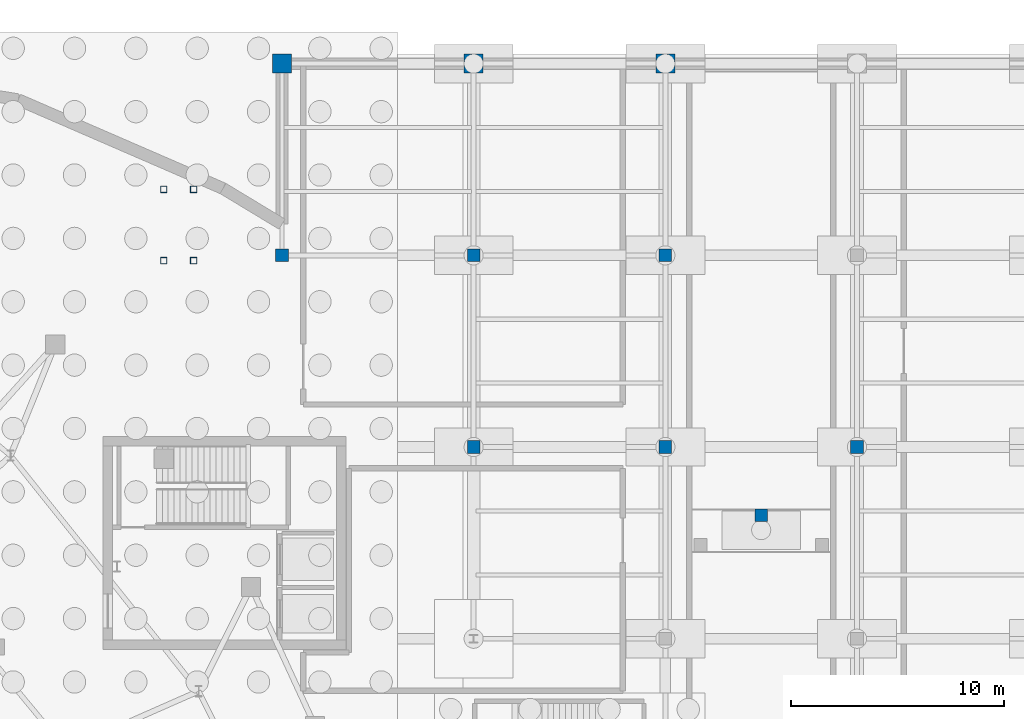
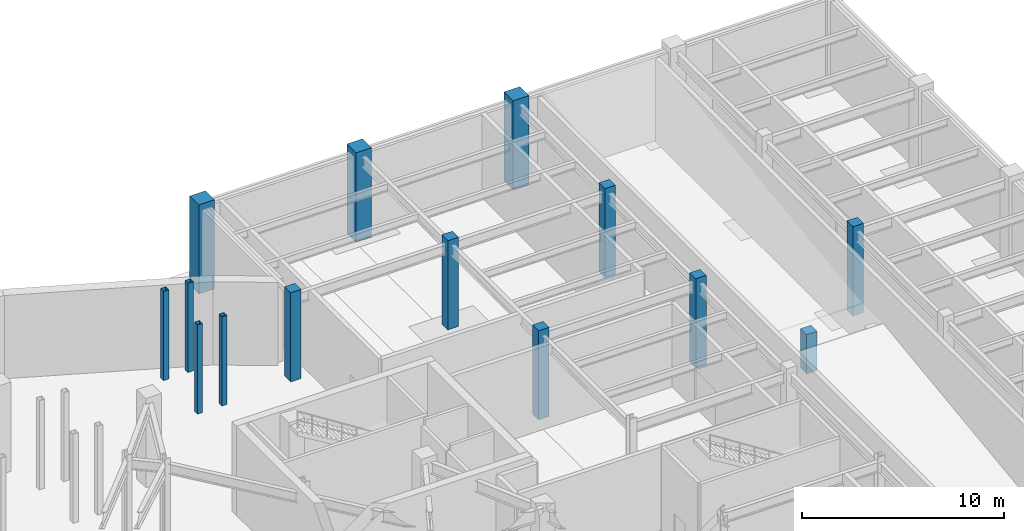
# One storey, part 29 of 56: 14 columns.
"""IFC4 building model written with IfcOpenShell, lengths in metres."""

from ifc_helpers import new_model, si_unit, direction, frame, origin, origin_2d, place, context, subcontext, project, spatial, rectangle, hollow_rectangle, extrude, material, material_profile, profile_set, type_object, element, save


model = new_model("IFC4")

# Units and contexts
model_context = context("Model", 3, precision=1e-05, world=origin(), true_north=direction((0.0, 1.0)))
body_context = subcontext(model_context, "Body", "Model", "MODEL_VIEW")
ifc_project = project(units=[si_unit("LENGTHUNIT", "METRE"), si_unit("AREAUNIT", "SQUARE_METRE"), si_unit("VOLUMEUNIT", "CUBIC_METRE"), si_unit("PLANEANGLEUNIT", "RADIAN"), si_unit("MASSUNIT", "GRAM", prefix="KILO")], contexts=[model_context])

# Site, building, storey
site_placement = place(None, origin())
site = spatial("IfcSite", under=ifc_project, at=site_placement, CompositionType="ELEMENT")
building_placement = place(site_placement, origin())
building = spatial("IfcBuilding", under=site, at=building_placement, Name="Glasvene Arena", CompositionType="ELEMENT")
storey_placement = place(building_placement, frame((0.0, 0.0, -5.39990234375)))
storey = spatial("IfcBuildingStorey", under=building, at=storey_placement, Name="B1", CompositionType="ELEMENT", Elevation=-5.39990234375)

# Columns
ifc_material_1 = material(Name="Concrete C40/50", Category="concrete")
ifc_material_profile_1 = material_profile(ifc_material_1, rectangle(XDim=0.89990234375, YDim=0.89990234375, at=origin_2d()), Name="RC 900x900")
ifc_profile_set_1 = profile_set([ifc_material_profile_1], Name="Concrete C40/50")
column_type_1 = type_object("IfcColumnType", Name="COL-BOWL-RC900", PredefinedType="COLUMN", material=ifc_profile_set_1)
for number, where, z_axis, x_axis, name in (
    (1, (138.0, 118.0, 0.0), (0.0, 0.0, 1.0), (1.0, 0.0, 0.0), "Grid column 16-14 B1"),
    (2, (147.0, 118.0, 0.0), (0.0, 0.0, 1.0), (1.0, 0.0, 0.0), "Grid column 17-14 B1"),
    (3, (156.0, 118.0, 0.0), (0.0, 0.0, 1.0), (1.0, 0.0, 0.0), "Grid column 18-14 B1"),
):
    element("IfcColumn", number, at=place(storey_placement, frame(where, z_axis=z_axis, x_axis=x_axis)), inside=storey, type_object=column_type_1, Name=name, PredefinedType="COLUMN", context=body_context, shape_type="SweptSolid", body=[
        extrude(rectangle(XDim=0.89990234375, YDim=0.89990234375, at=origin_2d()), origin(), (0.0, 0.0, 1.0), 5.39990234375),
    ])
ifc_material_profile_2 = material_profile(ifc_material_1, rectangle(XDim=0.60009765625, YDim=0.60009765625, at=origin_2d()), Name="RC 600x600")
ifc_profile_set_2 = profile_set([ifc_material_profile_2], Name="Concrete C40/50")
column_type_2 = type_object("IfcColumnType", Name="COL-IN-RC600", PredefinedType="COLUMN", material=ifc_profile_set_2)
for number, where, z_axis, x_axis, name in (
    (4, (138.0, 109.0, 0.0), (0.0, 0.0, 1.0), (1.0, 0.0, 0.0), "Grid column 16-13 B1"),
    (5, (147.0, 100.0, 0.0), (0.0, 0.0, 1.0), (1.0, 0.0, 0.0), "Grid column 17-12 B1"),
    (6, (147.0, 109.0, 0.0), (0.0, 0.0, 1.0), (1.0, 0.0, 0.0), "Grid column 17-13 B1"),
    (7, (156.0, 100.0, 0.0), (0.0, 0.0, 1.0), (1.0, 0.0, 0.0), "Grid column 18-12 B1"),
    (8, (156.0, 109.0, 0.0), (0.0, 0.0, 1.0), (1.0, 0.0, 0.0), "Grid column 18-13 B1"),
    (9, (165.0, 100.0, 0.0), (0.0, 0.0, 1.0), (1.0, 0.0, 0.0), "Grid column 19-12 B1"),
):
    element("IfcColumn", number, at=place(storey_placement, frame(where, z_axis=z_axis, x_axis=x_axis)), inside=storey, type_object=column_type_2, Name=name, PredefinedType="COLUMN", context=body_context, shape_type="SweptSolid", body=[
        extrude(rectangle(XDim=0.60009765625, YDim=0.60009765625, at=origin_2d()), origin(), (0.0, 0.0, 1.0), 5.39990234375),
    ])
column_placement = place(storey_placement, frame((160.5, 96.800048828125, 0.0), z_axis=(0.0, 0.0, 1.0), x_axis=(1.0, 0.0, 0.0)))
element("IfcColumn", 10, at=column_placement, inside=storey, type_object=column_type_2, Name="Vehicle ramp mid-landing column", PredefinedType="COLUMN", context=body_context, shape_type="SweptSolid", body=[
    extrude(rectangle(XDim=0.60009765625, YDim=0.60009765625, at=origin_2d()), origin(), (0.0, 0.0, 1.0), 2.3798828125),
])
ifc_material_2 = material(Name="Steel S355J2", Category="steel")
ifc_material_profile_3 = material_profile(ifc_material_2, hollow_rectangle(XDim=0.300048828125, YDim=0.300048828125, WallThickness=0.012451171875, at=origin_2d()), Name="SHS 300x300x12.5")
ifc_profile_set_3 = profile_set([ifc_material_profile_3], Name="Steel S355J2")
column_type_3 = type_object("IfcColumnType", Name="COL-W-SHS300", PredefinedType="COLUMN", material=ifc_profile_set_3)
for number, where, z_axis, x_axis, name in (
    (11, (132.449951171875, 108.75, 0.0), (0.0, 0.0, 1.0), (1.0, 0.0, 0.0), "Vomitory landing column VOM-04 B1"),
    (12, (132.449951171875, 112.10009765625, 0.0), (0.0, 0.0, 1.0), (1.0, 0.0, 0.0), "Vomitory landing column VOM-04 B1"),
    (13, (133.85009765625, 108.75, 0.0), (0.0, 0.0, 1.0), (1.0, 0.0, 0.0), "Vomitory landing column VOM-04 B1"),
    (14, (133.85009765625, 112.10009765625, 0.0), (0.0, 0.0, 1.0), (1.0, 0.0, 0.0), "Vomitory landing column VOM-04 B1"),
):
    element("IfcColumn", number, at=place(storey_placement, frame(where, z_axis=z_axis, x_axis=x_axis)), inside=storey, type_object=column_type_3, Name=name, PredefinedType="COLUMN", context=body_context, shape_type="SweptSolid", body=[
        extrude(hollow_rectangle(XDim=0.300048828125, YDim=0.300048828125, WallThickness=0.012451171875, at=origin_2d()), origin(), (0.0, 0.0, 1.0), 5.39990234375),
    ])

save(model, "model.ifc")
